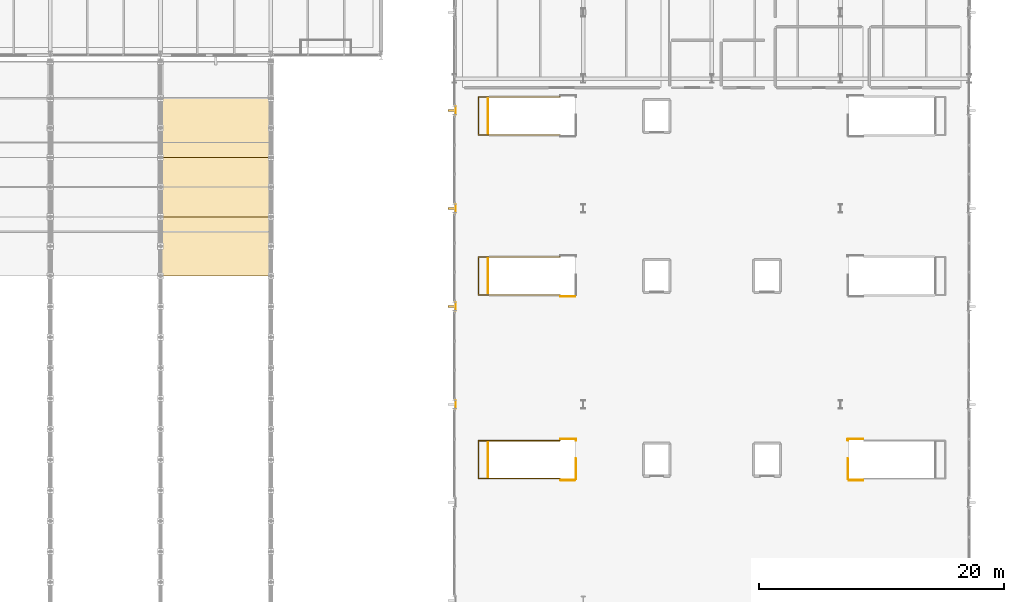
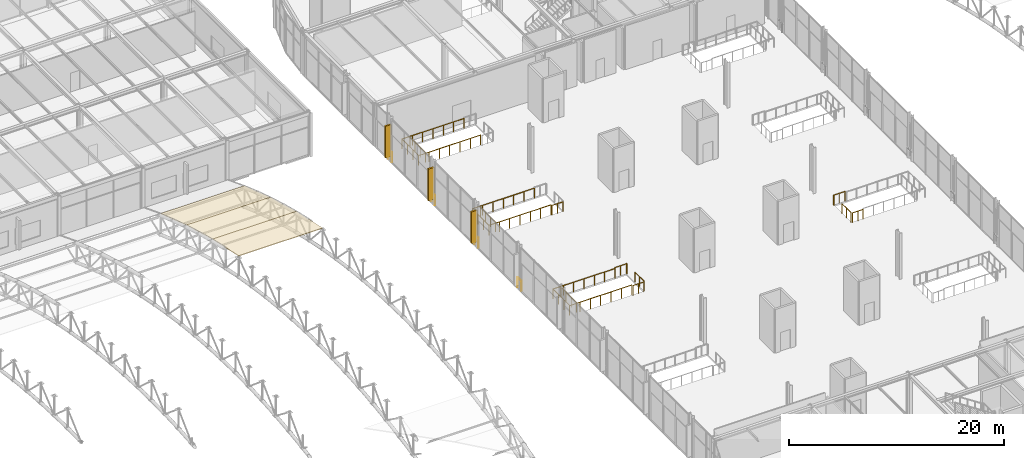
# One storey, part 178 of 195: 17 railings, 3 coverings, 3 shading devices.
"""IFC4 building model written with IfcOpenShell, lengths in metres."""

from ifc_helpers import new_model, si_unit, direction, frame, origin, origin_2d, place, context, subcontext, project, spatial, polyline, rectangle, circle, outline, extrude, material, layer, layer_set, type_object, element, save


model = new_model("IFC4")

# Units and contexts
model_context = context("Model", 3, precision=1e-05, world=origin(), true_north=direction((0.0, 1.0)))
body_context = subcontext(model_context, "Body", "Model", "MODEL_VIEW")
ifc_project = project(units=[si_unit("LENGTHUNIT", "METRE"), si_unit("AREAUNIT", "SQUARE_METRE"), si_unit("VOLUMEUNIT", "CUBIC_METRE"), si_unit("PLANEANGLEUNIT", "RADIAN"), si_unit("MASSUNIT", "GRAM", prefix="KILO")], contexts=[model_context])

# Site, building, storey
site_placement = place(None, origin())
site = spatial("IfcSite", under=ifc_project, at=site_placement, CompositionType="ELEMENT")
building_placement = place(site_placement, origin())
building = spatial("IfcBuilding", under=site, at=building_placement, Name="Marlcrest Central Station", CompositionType="ELEMENT")
storey_placement = place(building_placement, frame((0.0, 0.0, 9.800048828125)))
storey = spatial("IfcBuildingStorey", under=building, at=storey_placement, Name="L02", CompositionType="ELEMENT", Elevation=9.800048828125)

# Coverings
ifc_material_1 = material(Name="Standing-seam marine-coated aluminium roofing", Category="aluminium")
ifc_layer = layer(ifc_material_1, 0.06494140625, Name="CV-RF2")
ifc_layer_set = layer_set([ifc_layer], Name="Standing-seam marine-coated aluminium roofing")
covering_type = type_object("IfcCoveringType", Name="CV-RF2", PredefinedType="ROOFING", material=ifc_layer_set)
covering_1_placement = place(storey_placement, frame((63.0, 81.0, 5.8037109375), z_axis=(0.0, 0.211209052667, 0.977440911806), x_axis=(1.0, 0.0, 0.0)))
element("IfcCovering", 1, at=covering_1_placement, inside=storey, type_object=covering_type, Name="cov-shed-0113", PredefinedType="ROOFING", context=body_context, shape_type="SweptSolid", body=[
    extrude(outline(polyline([(0.0, 0.0), (9.0, 0.0), (9.0, 4.941555102371799), (0.0, 4.941555102371799), (0.0, 0.0)])), origin(), (0.0, 0.0, -1.0), 0.06494140625),
])
covering_2_placement = place(storey_placement, frame((63.0, 85.830078125, 4.760009765625), z_axis=(0.0, 0.266214119485, 0.96391391866), x_axis=(1.0, 0.0, 0.0)))
element("IfcCovering", 2, at=covering_2_placement, inside=storey, type_object=covering_type, Name="cov-shed-0114", PredefinedType="ROOFING", context=body_context, shape_type="SweptSolid", body=[
    extrude(outline(polyline([(0.0, 0.0), (9.0, 0.0), (9.0, 5.021033161059522), (0.0, 5.021033161059522), (0.0, 0.0)])), origin(), (0.0, 0.0, -1.0), 0.06494140625),
])
covering_3_placement = place(storey_placement, frame((63.0, 90.669921875, 3.42333984375), z_axis=(0.0, 0.318569719273, 0.94789943241), x_axis=(1.0, 0.0, 0.0)))
element("IfcCovering", 3, at=covering_3_placement, inside=storey, type_object=covering_type, Name="cov-shed-0115", PredefinedType="ROOFING", context=body_context, shape_type="SweptSolid", body=[
    extrude(outline(polyline([(0.0, 0.0), (9.0, 0.0), (9.0, 5.095559676327259), (0.0, 5.095559676327259), (0.0, 0.0)])), origin(), (0.0, 0.0, -1.0), 0.06494140625),
])

# Railings
ifc_material_2 = material(Name="Stainless steel and laminated glass concourse balustrade", Category="steel")
railing_type = type_object("IfcRailingType", Name="GR-02", PredefinedType="BALUSTRADE", material=ifc_material_2)
railing_1_placement = place(storey_placement, frame((95.60009765625, 64.449951171875, 0.0)))
element("IfcRailing", 4, at=railing_1_placement, inside=storey, type_object=railing_type, Name="grd-L02-0012", PredefinedType="BALUSTRADE", context=body_context, shape_type="SweptSolid", body=[
    extrude(circle(Radius=0.02392578125, at=origin_2d()), frame((0.0, 0.0, 1.09619140625), z_axis=(-1.0, 0.0, 0.0), x_axis=(0.0, -1.0, 0.0)), (0.0, 0.0, 1.0), 6.650146484375),
    extrude(circle(Radius=0.02392578125, at=origin_2d()), frame((-6.650146484375, 0.0, 1.09619140625), z_axis=(0.0, 1.0, 0.0), x_axis=(-1.0, 0.0, 0.0)), (0.0, 0.0, 1.0), 3.10009765625),
    extrude(circle(Radius=0.02392578125, at=origin_2d()), frame((-6.650146484375, 3.10009765625, 1.09619140625), z_axis=(1.0, 0.0, 0.0), x_axis=(0.0, 1.0, 0.0)), (0.0, 0.0, 1.0), 6.650146484375),
    extrude(circle(Radius=0.02099609375, at=origin_2d()), origin(), (0.0, 0.0, 1.0), 1.072021484375),
    extrude(circle(Radius=0.02099609375, at=origin_2d()), frame((-1.1083984375, 0.0, 0.0)), (0.0, 0.0, 1.0), 1.072021484375),
    extrude(circle(Radius=0.02099609375, at=origin_2d()), frame((-2.216796875, 0.0, 0.0)), (0.0, 0.0, 1.0), 1.072021484375),
    extrude(circle(Radius=0.02099609375, at=origin_2d()), frame((-3.3251953125, 0.0, 0.0)), (0.0, 0.0, 1.0), 1.072021484375),
    extrude(circle(Radius=0.02099609375, at=origin_2d()), frame((-4.433349609375, 0.0, 0.0)), (0.0, 0.0, 1.0), 1.072021484375),
    extrude(circle(Radius=0.02099609375, at=origin_2d()), frame((-5.541748046875, 0.0, 0.0)), (0.0, 0.0, 1.0), 1.072021484375),
    extrude(circle(Radius=0.02099609375, at=origin_2d()), frame((-6.650146484375, 0.0, 0.0)), (0.0, 0.0, 1.0), 1.072021484375),
    extrude(circle(Radius=0.02099609375, at=origin_2d()), frame((-6.650146484375, 1.033447265625, 0.0)), (0.0, 0.0, 1.0), 1.072021484375),
    extrude(circle(Radius=0.02099609375, at=origin_2d()), frame((-6.650146484375, 2.066650390625, 0.0)), (0.0, 0.0, 1.0), 1.072021484375),
    extrude(circle(Radius=0.02099609375, at=origin_2d()), frame((-6.650146484375, 3.10009765625, 0.0)), (0.0, 0.0, 1.0), 1.072021484375),
    extrude(circle(Radius=0.02099609375, at=origin_2d()), frame((-5.541748046875, 3.10009765625, 0.0)), (0.0, 0.0, 1.0), 1.072021484375),
    extrude(circle(Radius=0.02099609375, at=origin_2d()), frame((-4.433349609375, 3.10009765625, 0.0)), (0.0, 0.0, 1.0), 1.072021484375),
    extrude(circle(Radius=0.02099609375, at=origin_2d()), frame((-3.3251953125, 3.10009765625, 0.0)), (0.0, 0.0, 1.0), 1.072021484375),
    extrude(circle(Radius=0.02099609375, at=origin_2d()), frame((-2.216796875, 3.10009765625, 0.0)), (0.0, 0.0, 1.0), 1.072021484375),
    extrude(circle(Radius=0.02099609375, at=origin_2d()), frame((-1.1083984375, 3.10009765625, 0.0)), (0.0, 0.0, 1.0), 1.072021484375),
    extrude(circle(Radius=0.02099609375, at=origin_2d()), frame((0.0, 3.10009765625, 0.0)), (0.0, 0.0, 1.0), 1.072021484375),
])
railing_2_placement = place(storey_placement, frame((95.60009765625, 79.449951171875, 0.0)))
element("IfcRailing", 5, at=railing_2_placement, inside=storey, type_object=railing_type, Name="grd-L02-0014", PredefinedType="BALUSTRADE", context=body_context, shape_type="SweptSolid", body=[
    extrude(circle(Radius=0.02392578125, at=origin_2d()), frame((0.0, 0.0, 1.09619140625), z_axis=(-1.0, 0.0, 0.0), x_axis=(0.0, -1.0, 0.0)), (0.0, 0.0, 1.0), 6.650146484375),
    extrude(circle(Radius=0.02392578125, at=origin_2d()), frame((-6.650146484375, 0.0, 1.09619140625), z_axis=(0.0, 1.0, 0.0), x_axis=(-1.0, 0.0, 0.0)), (0.0, 0.0, 1.0), 3.10009765625),
    extrude(circle(Radius=0.02392578125, at=origin_2d()), frame((-6.650146484375, 3.10009765625, 1.09619140625), z_axis=(1.0, 0.0, 0.0), x_axis=(0.0, 1.0, 0.0)), (0.0, 0.0, 1.0), 6.650146484375),
    extrude(circle(Radius=0.02099609375, at=origin_2d()), origin(), (0.0, 0.0, 1.0), 1.072021484375),
    extrude(circle(Radius=0.02099609375, at=origin_2d()), frame((-1.1083984375, 0.0, 0.0)), (0.0, 0.0, 1.0), 1.072021484375),
    extrude(circle(Radius=0.02099609375, at=origin_2d()), frame((-2.216796875, 0.0, 0.0)), (0.0, 0.0, 1.0), 1.072021484375),
    extrude(circle(Radius=0.02099609375, at=origin_2d()), frame((-3.3251953125, 0.0, 0.0)), (0.0, 0.0, 1.0), 1.072021484375),
    extrude(circle(Radius=0.02099609375, at=origin_2d()), frame((-4.433349609375, 0.0, 0.0)), (0.0, 0.0, 1.0), 1.072021484375),
    extrude(circle(Radius=0.02099609375, at=origin_2d()), frame((-5.541748046875, 0.0, 0.0)), (0.0, 0.0, 1.0), 1.072021484375),
    extrude(circle(Radius=0.02099609375, at=origin_2d()), frame((-6.650146484375, 0.0, 0.0)), (0.0, 0.0, 1.0), 1.072021484375),
    extrude(circle(Radius=0.02099609375, at=origin_2d()), frame((-6.650146484375, 1.033447265625, 0.0)), (0.0, 0.0, 1.0), 1.072021484375),
    extrude(circle(Radius=0.02099609375, at=origin_2d()), frame((-6.650146484375, 2.066650390625, 0.0)), (0.0, 0.0, 1.0), 1.072021484375),
    extrude(circle(Radius=0.02099609375, at=origin_2d()), frame((-6.650146484375, 3.10009765625, 0.0)), (0.0, 0.0, 1.0), 1.072021484375),
    extrude(circle(Radius=0.02099609375, at=origin_2d()), frame((-5.541748046875, 3.10009765625, 0.0)), (0.0, 0.0, 1.0), 1.072021484375),
    extrude(circle(Radius=0.02099609375, at=origin_2d()), frame((-4.433349609375, 3.10009765625, 0.0)), (0.0, 0.0, 1.0), 1.072021484375),
    extrude(circle(Radius=0.02099609375, at=origin_2d()), frame((-3.3251953125, 3.10009765625, 0.0)), (0.0, 0.0, 1.0), 1.072021484375),
    extrude(circle(Radius=0.02099609375, at=origin_2d()), frame((-2.216796875, 3.10009765625, 0.0)), (0.0, 0.0, 1.0), 1.072021484375),
    extrude(circle(Radius=0.02099609375, at=origin_2d()), frame((-1.1083984375, 3.10009765625, 0.0)), (0.0, 0.0, 1.0), 1.072021484375),
    extrude(circle(Radius=0.02099609375, at=origin_2d()), frame((0.0, 3.10009765625, 0.0)), (0.0, 0.0, 1.0), 1.072021484375),
])
railing_3_placement = place(storey_placement, frame((95.60009765625, 92.5, 0.0)))
element("IfcRailing", 6, at=railing_3_placement, inside=storey, type_object=railing_type, Name="grd-L02-0016", PredefinedType="BALUSTRADE", context=body_context, shape_type="SweptSolid", body=[
    extrude(circle(Radius=0.02392578125, at=origin_2d()), frame((0.0, 0.0, 1.09619140625), z_axis=(-1.0, 0.0, 0.0), x_axis=(0.0, -1.0, 0.0)), (0.0, 0.0, 1.0), 6.650146484375),
    extrude(circle(Radius=0.02392578125, at=origin_2d()), frame((-6.650146484375, 0.0, 1.09619140625), z_axis=(0.0, 1.0, 0.0), x_axis=(-1.0, 0.0, 0.0)), (0.0, 0.0, 1.0), 3.10009765625),
    extrude(circle(Radius=0.02392578125, at=origin_2d()), frame((-6.650146484375, 3.10009765625, 1.09619140625), z_axis=(1.0, 0.0, 0.0), x_axis=(0.0, 1.0, 0.0)), (0.0, 0.0, 1.0), 6.650146484375),
    extrude(circle(Radius=0.02099609375, at=origin_2d()), origin(), (0.0, 0.0, 1.0), 1.072021484375),
    extrude(circle(Radius=0.02099609375, at=origin_2d()), frame((-1.1083984375, 0.0, 0.0)), (0.0, 0.0, 1.0), 1.072021484375),
    extrude(circle(Radius=0.02099609375, at=origin_2d()), frame((-2.216796875, 0.0, 0.0)), (0.0, 0.0, 1.0), 1.072021484375),
    extrude(circle(Radius=0.02099609375, at=origin_2d()), frame((-3.3251953125, 0.0, 0.0)), (0.0, 0.0, 1.0), 1.072021484375),
    extrude(circle(Radius=0.02099609375, at=origin_2d()), frame((-4.433349609375, 0.0, 0.0)), (0.0, 0.0, 1.0), 1.072021484375),
    extrude(circle(Radius=0.02099609375, at=origin_2d()), frame((-5.541748046875, 0.0, 0.0)), (0.0, 0.0, 1.0), 1.072021484375),
    extrude(circle(Radius=0.02099609375, at=origin_2d()), frame((-6.650146484375, 0.0, 0.0)), (0.0, 0.0, 1.0), 1.072021484375),
    extrude(circle(Radius=0.02099609375, at=origin_2d()), frame((-6.650146484375, 1.033447265625, 0.0)), (0.0, 0.0, 1.0), 1.072021484375),
    extrude(circle(Radius=0.02099609375, at=origin_2d()), frame((-6.650146484375, 2.066650390625, 0.0)), (0.0, 0.0, 1.0), 1.072021484375),
    extrude(circle(Radius=0.02099609375, at=origin_2d()), frame((-6.650146484375, 3.10009765625, 0.0)), (0.0, 0.0, 1.0), 1.072021484375),
    extrude(circle(Radius=0.02099609375, at=origin_2d()), frame((-5.541748046875, 3.10009765625, 0.0)), (0.0, 0.0, 1.0), 1.072021484375),
    extrude(circle(Radius=0.02099609375, at=origin_2d()), frame((-4.433349609375, 3.10009765625, 0.0)), (0.0, 0.0, 1.0), 1.072021484375),
    extrude(circle(Radius=0.02099609375, at=origin_2d()), frame((-3.3251953125, 3.10009765625, 0.0)), (0.0, 0.0, 1.0), 1.072021484375),
    extrude(circle(Radius=0.02099609375, at=origin_2d()), frame((-2.216796875, 3.10009765625, 0.0)), (0.0, 0.0, 1.0), 1.072021484375),
    extrude(circle(Radius=0.02099609375, at=origin_2d()), frame((-1.1083984375, 3.10009765625, 0.0)), (0.0, 0.0, 1.0), 1.072021484375),
    extrude(circle(Radius=0.02099609375, at=origin_2d()), frame((0.0, 3.10009765625, 0.0)), (0.0, 0.0, 1.0), 1.072021484375),
])
for number, where, name in (
    (7, (96.89990234375, 64.429931640625, 0.0), "hr-L02-00085"),
    (8, (119.10009765625, 64.429931640625, 0.0), "hr-L02-00102"),
):
    element("IfcRailing", number, at=place(storey_placement, frame(where)), inside=storey, type_object=railing_type, Name=name, PredefinedType="BALUSTRADE", context=body_context, shape_type="SweptSolid", body=[
        extrude(circle(Radius=0.02392578125, at=origin_2d()), frame((0.0, 0.0, 1.09619140625), z_axis=(0.0, 1.0, 0.0), x_axis=(-1.0, 0.0, 0.0)), (0.0, 0.0, 1.0), 1.650146484375),
        extrude(circle(Radius=0.02099609375, at=origin_2d()), origin(), (0.0, 0.0, 1.0), 1.072021484375),
        extrude(circle(Radius=0.02099609375, at=origin_2d()), frame((0.0, 0.8251953125, 0.0)), (0.0, 0.0, 1.0), 1.072021484375),
        extrude(circle(Radius=0.02099609375, at=origin_2d()), frame((0.0, 1.650146484375, 0.0)), (0.0, 0.0, 1.0), 1.072021484375),
    ])
for number, where, name in (
    (9, (87.06005859375, 70.159912109375, 0.0), "hr-L02-00479"),
    (10, (87.06005859375, 78.159912109375, 0.0), "hr-L02-00480"),
    (11, (87.06005859375, 86.159912109375, 0.0), "hr-L02-00481"),
    (12, (87.06005859375, 94.159912109375, 0.0), "hr-L02-00482"),
):
    element("IfcRailing", number, at=place(storey_placement, frame(where)), inside=storey, type_object=railing_type, Name=name, PredefinedType="BALUSTRADE", context=body_context, shape_type="SweptSolid", body=[
        extrude(circle(Radius=0.02392578125, at=origin_2d()), frame((0.0, 0.0, 1.09619140625), z_axis=(0.0, 1.0, 0.0), x_axis=(-1.0, 0.0, 0.0)), (0.0, 0.0, 1.0), 0.68017578125),
        extrude(circle(Radius=0.02099609375, at=origin_2d()), origin(), (0.0, 0.0, 1.0), 1.072021484375),
        extrude(circle(Radius=0.02099609375, at=origin_2d()), frame((0.0, 0.68017578125, 0.0)), (0.0, 0.0, 1.0), 1.072021484375),
    ])
railing_4_placement = place(storey_placement, frame((119.18603515625, 64.320068359375, 0.0)))
element("IfcRailing", 13, at=railing_4_placement, inside=storey, type_object=railing_type, Name="hr-L02-00534", PredefinedType="BALUSTRADE", context=body_context, shape_type="SweptSolid", body=[
    extrude(circle(Radius=0.02392578125, at=origin_2d()), frame((0.0, 0.0, 1.09619140625), z_axis=(1.0, 0.0, 0.0), x_axis=(0.0, 1.0, 0.0)), (0.0, 0.0, 1.0), 1.161865234375),
    extrude(circle(Radius=0.02099609375, at=origin_2d()), origin(), (0.0, 0.0, 1.0), 1.072021484375),
    extrude(circle(Radius=0.02099609375, at=origin_2d()), frame((0.5810546875, 0.0, 0.0)), (0.0, 0.0, 1.0), 1.072021484375),
    extrude(circle(Radius=0.02099609375, at=origin_2d()), frame((1.161865234375, 0.0, 0.0)), (0.0, 0.0, 1.0), 1.072021484375),
])
railing_5_placement = place(storey_placement, frame((120.347900390625, 67.679931640625, 0.0)))
element("IfcRailing", 14, at=railing_5_placement, inside=storey, type_object=railing_type, Name="hr-L02-00536", PredefinedType="BALUSTRADE", context=body_context, shape_type="SweptSolid", body=[
    extrude(circle(Radius=0.02392578125, at=origin_2d()), frame((0.0, 0.0, 1.09619140625), z_axis=(-1.0, 0.0, 0.0), x_axis=(0.0, -1.0, 0.0)), (0.0, 0.0, 1.0), 1.2578125),
    extrude(circle(Radius=0.02392578125, at=origin_2d()), frame((-1.2578125, 0.0, 1.09619140625), z_axis=(0.0, -1.0, 0.0), x_axis=(1.0, 0.0, 0.0)), (0.0, 0.0, 1.0), 0.10986328125),
    extrude(circle(Radius=0.02099609375, at=origin_2d()), origin(), (0.0, 0.0, 1.0), 1.072021484375),
    extrude(circle(Radius=0.02099609375, at=origin_2d()), frame((-0.62890625, 0.0, 0.0)), (0.0, 0.0, 1.0), 1.072021484375),
    extrude(circle(Radius=0.02099609375, at=origin_2d()), frame((-1.2578125, 0.0, 0.0)), (0.0, 0.0, 1.0), 1.072021484375),
    extrude(circle(Radius=0.02099609375, at=origin_2d()), frame((-1.2578125, -0.10986328125, 0.0)), (0.0, 0.0, 1.0), 1.072021484375),
])
railing_6_placement = place(storey_placement, frame((89.739990234375, 95.4599609375, 0.0)))
element("IfcRailing", 15, at=railing_6_placement, inside=storey, type_object=railing_type, Name="hr-L02-00552", PredefinedType="BALUSTRADE", context=body_context, shape_type="SweptSolid", body=[
    extrude(circle(Radius=0.02392578125, at=origin_2d()), frame((0.0, 0.0, 1.09619140625), z_axis=(0.0, -1.0, 0.0), x_axis=(1.0, 0.0, 0.0)), (0.0, 0.0, 1.0), 2.820068359375),
    extrude(circle(Radius=0.02099609375, at=origin_2d()), origin(), (0.0, 0.0, 1.0), 1.072021484375),
    extrude(circle(Radius=0.02099609375, at=origin_2d()), frame((0.0, -0.93994140625, 0.0)), (0.0, 0.0, 1.0), 1.072021484375),
    extrude(circle(Radius=0.02099609375, at=origin_2d()), frame((0.0, -1.880126953125, 0.0)), (0.0, 0.0, 1.0), 1.072021484375),
    extrude(circle(Radius=0.02099609375, at=origin_2d()), frame((0.0, -2.820068359375, 0.0)), (0.0, 0.0, 1.0), 1.072021484375),
])
railing_7_placement = place(storey_placement, frame((95.652099609375, 79.320068359375, 0.0)))
element("IfcRailing", 16, at=railing_7_placement, inside=storey, type_object=railing_type, Name="hr-L02-00553", PredefinedType="BALUSTRADE", context=body_context, shape_type="SweptSolid", body=[
    extrude(circle(Radius=0.02392578125, at=origin_2d()), frame((0.0, 0.0, 1.09619140625), z_axis=(1.0, 0.0, 0.0), x_axis=(0.0, 1.0, 0.0)), (0.0, 0.0, 1.0), 1.161865234375),
    extrude(circle(Radius=0.02099609375, at=origin_2d()), origin(), (0.0, 0.0, 1.0), 1.072021484375),
    extrude(circle(Radius=0.02099609375, at=origin_2d()), frame((0.5810546875, 0.0, 0.0)), (0.0, 0.0, 1.0), 1.072021484375),
    extrude(circle(Radius=0.02099609375, at=origin_2d()), frame((1.161865234375, 0.0, 0.0)), (0.0, 0.0, 1.0), 1.072021484375),
])
railing_8_placement = place(storey_placement, frame((89.739990234375, 82.409912109375, 0.0)))
element("IfcRailing", 17, at=railing_8_placement, inside=storey, type_object=railing_type, Name="hr-L02-00555", PredefinedType="BALUSTRADE", context=body_context, shape_type="SweptSolid", body=[
    extrude(circle(Radius=0.02392578125, at=origin_2d()), frame((0.0, 0.0, 1.09619140625), z_axis=(0.0, -1.0, 0.0), x_axis=(1.0, 0.0, 0.0)), (0.0, 0.0, 1.0), 2.81982421875),
    extrude(circle(Radius=0.02099609375, at=origin_2d()), origin(), (0.0, 0.0, 1.0), 1.072021484375),
    extrude(circle(Radius=0.02099609375, at=origin_2d()), frame((0.0, -0.93994140625, 0.0)), (0.0, 0.0, 1.0), 1.072021484375),
    extrude(circle(Radius=0.02099609375, at=origin_2d()), frame((0.0, -1.8798828125, 0.0)), (0.0, 0.0, 1.0), 1.072021484375),
    extrude(circle(Radius=0.02099609375, at=origin_2d()), frame((0.0, -2.81982421875, 0.0)), (0.0, 0.0, 1.0), 1.072021484375),
])
railing_9_placement = place(storey_placement, frame((95.652099609375, 64.320068359375, 0.0)))
element("IfcRailing", 18, at=railing_9_placement, inside=storey, type_object=railing_type, Name="hr-L02-00556", PredefinedType="BALUSTRADE", context=body_context, shape_type="SweptSolid", body=[
    extrude(circle(Radius=0.02392578125, at=origin_2d()), frame((0.0, 0.0, 1.09619140625), z_axis=(1.0, 0.0, 0.0), x_axis=(0.0, 1.0, 0.0)), (0.0, 0.0, 1.0), 1.161865234375),
    extrude(circle(Radius=0.02099609375, at=origin_2d()), origin(), (0.0, 0.0, 1.0), 1.072021484375),
    extrude(circle(Radius=0.02099609375, at=origin_2d()), frame((0.5810546875, 0.0, 0.0)), (0.0, 0.0, 1.0), 1.072021484375),
    extrude(circle(Radius=0.02099609375, at=origin_2d()), frame((1.161865234375, 0.0, 0.0)), (0.0, 0.0, 1.0), 1.072021484375),
])
railing_10_placement = place(storey_placement, frame((96.909912109375, 67.570068359375, 0.0)))
element("IfcRailing", 19, at=railing_10_placement, inside=storey, type_object=railing_type, Name="hr-L02-00557", PredefinedType="BALUSTRADE", context=body_context, shape_type="SweptSolid", body=[
    extrude(circle(Radius=0.02392578125, at=origin_2d()), frame((0.0, 0.0, 1.09619140625), z_axis=(0.0, 1.0, 0.0), x_axis=(-1.0, 0.0, 0.0)), (0.0, 0.0, 1.0), 0.10986328125),
    extrude(circle(Radius=0.02392578125, at=origin_2d()), frame((0.0, 0.10986328125, 1.09619140625), z_axis=(-1.0, 0.0, 0.0), x_axis=(0.0, -1.0, 0.0)), (0.0, 0.0, 1.0), 1.2578125),
    extrude(circle(Radius=0.02099609375, at=origin_2d()), origin(), (0.0, 0.0, 1.0), 1.072021484375),
    extrude(circle(Radius=0.02099609375, at=origin_2d()), frame((0.0, 0.10986328125, 0.0)), (0.0, 0.0, 1.0), 1.072021484375),
    extrude(circle(Radius=0.02099609375, at=origin_2d()), frame((-0.62890625, 0.10986328125, 0.0)), (0.0, 0.0, 1.0), 1.072021484375),
    extrude(circle(Radius=0.02099609375, at=origin_2d()), frame((-1.2578125, 0.10986328125, 0.0)), (0.0, 0.0, 1.0), 1.072021484375),
])
railing_11_placement = place(storey_placement, frame((89.739990234375, 67.409912109375, 0.0)))
element("IfcRailing", 20, at=railing_11_placement, inside=storey, type_object=railing_type, Name="hr-L02-00558", PredefinedType="BALUSTRADE", context=body_context, shape_type="SweptSolid", body=[
    extrude(circle(Radius=0.02392578125, at=origin_2d()), frame((0.0, 0.0, 1.09619140625), z_axis=(0.0, -1.0, 0.0), x_axis=(1.0, 0.0, 0.0)), (0.0, 0.0, 1.0), 2.81982421875),
    extrude(circle(Radius=0.02099609375, at=origin_2d()), origin(), (0.0, 0.0, 1.0), 1.072021484375),
    extrude(circle(Radius=0.02099609375, at=origin_2d()), frame((0.0, -0.93994140625, 0.0)), (0.0, 0.0, 1.0), 1.072021484375),
    extrude(circle(Radius=0.02099609375, at=origin_2d()), frame((0.0, -1.8798828125, 0.0)), (0.0, 0.0, 1.0), 1.072021484375),
    extrude(circle(Radius=0.02099609375, at=origin_2d()), frame((0.0, -2.81982421875, 0.0)), (0.0, 0.0, 1.0), 1.072021484375),
])

# Shading devices
ifc_material_3 = material(Name="Precast concrete C40/50", Category="concrete")
shading_device_type = type_object("IfcShadingDeviceType", Name="SD-BS1", PredefinedType="USERDEFINED", material=ifc_material_3)
for number, where, z_axis, x_axis, name in (
    (21, (86.800048828125, 78.5, 0.5), (0.0, 0.0, 1.0), (0.0, 1.0, 0.0), "shd-L02-0015"),
    (22, (86.800048828125, 86.5, 0.5), (0.0, 0.0, 1.0), (0.0, 1.0, 0.0), "shd-L02-0017"),
    (23, (86.800048828125, 94.5, 0.5), (0.0, 0.0, 1.0), (0.0, 1.0, 0.0), "shd-L02-0019"),
):
    element("IfcShadingDevice", number, at=place(storey_placement, frame(where, z_axis=z_axis, x_axis=x_axis)), inside=storey, type_object=shading_device_type, Name=name, ObjectType="BRISE_SOLEIL", PredefinedType="USERDEFINED", context=body_context, shape_type="SweptSolid", body=[
        extrude(rectangle(XDim=0.179931640625, YDim=0.64990234375, at=origin_2d()), origin(), (0.0, 0.0, 1.0), 3.60009765625),
    ])

save(model, "model.ifc")
